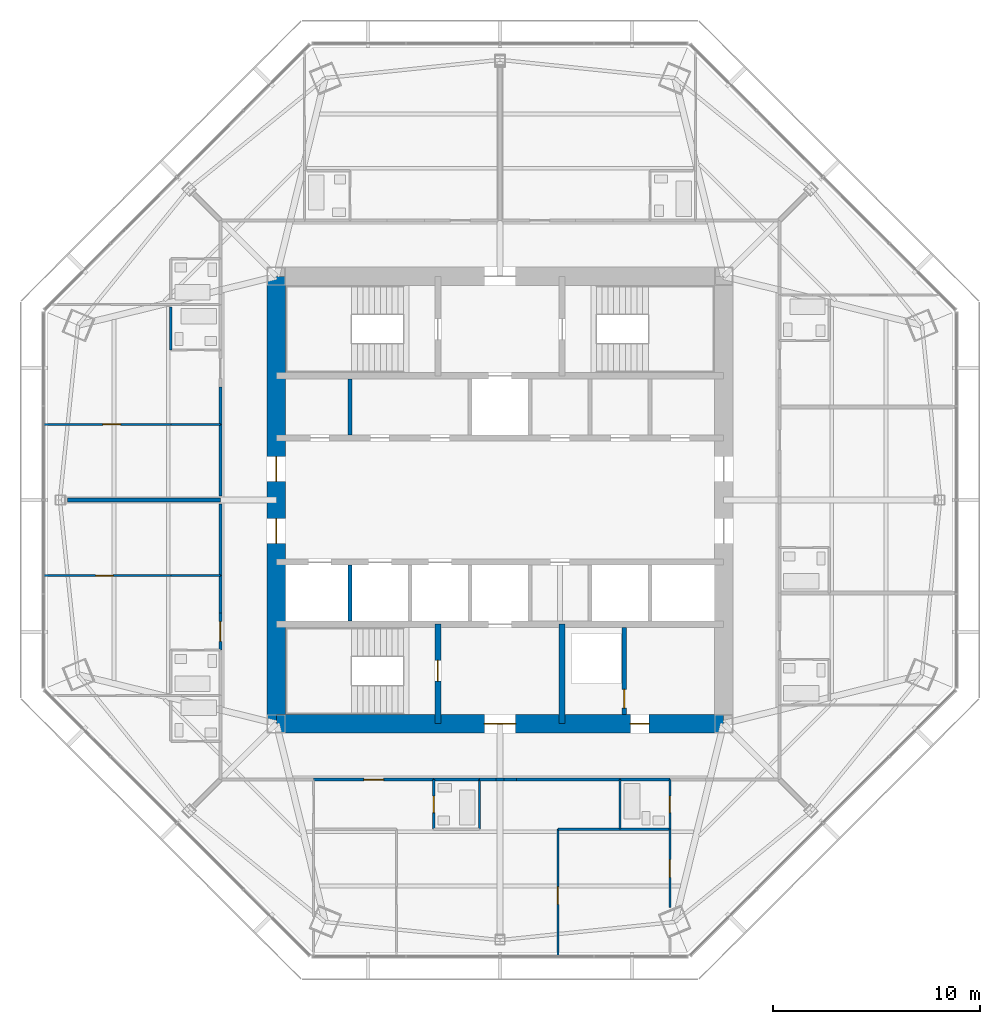
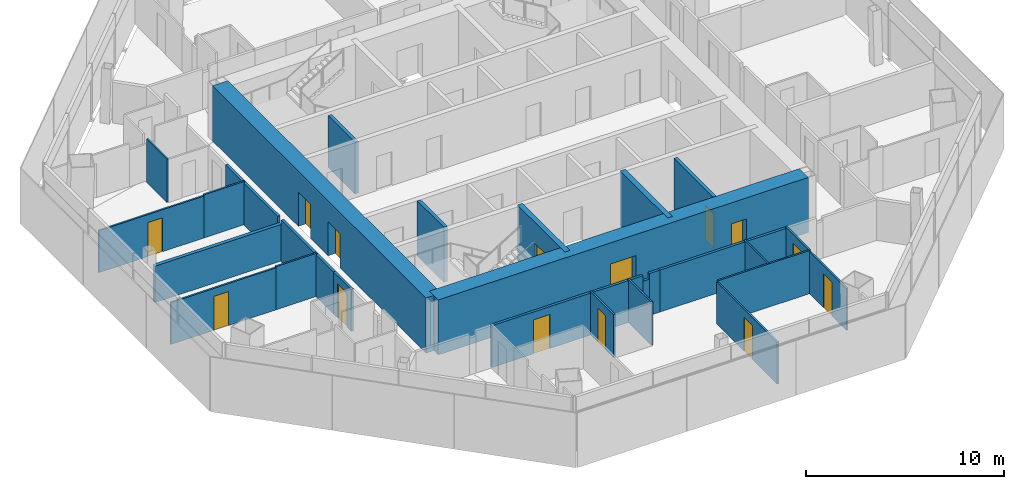
# One storey, part 9 of 15: 32 walls, 14 doors, 14 openings.
"""IFC4 building model written with IfcOpenShell, lengths in metres."""

from ifc_helpers import new_model, si_unit, direction, frame, frame_2d, origin, place, context, subcontext, project, spatial, rectangle, extrude, material, layer, layer_set, type_object, element, fill, save


model = new_model("IFC4")

# Units and contexts
model_context = context("Model", 3, precision=1e-05, world=origin(), true_north=direction((0.0, 1.0)))
body_context = subcontext(model_context, "Body", "Model", "MODEL_VIEW")
ifc_project = project(units=[si_unit("LENGTHUNIT", "METRE"), si_unit("AREAUNIT", "SQUARE_METRE"), si_unit("VOLUMEUNIT", "CUBIC_METRE"), si_unit("PLANEANGLEUNIT", "RADIAN"), si_unit("MASSUNIT", "GRAM", prefix="KILO")], contexts=[model_context])

# Site, building, storey
site_placement = place(None, origin())
site = spatial("IfcSite", under=ifc_project, at=site_placement, CompositionType="ELEMENT")
building_placement = place(site_placement, origin())
building = spatial("IfcBuilding", under=site, at=building_placement, Name="Mashrafa Tower", CompositionType="ELEMENT")
storey_placement = place(building_placement, frame((0.0, 0.0, 210.800048828125)))
storey = spatial("IfcBuildingStorey", under=building, at=storey_placement, Name="L48", CompositionType="ELEMENT", Elevation=210.800048828125)

# Wall
ifc_material_1 = material(Name="Gypsum board on steel studs", Category="steel")
ifc_layer_1 = layer(ifc_material_1, 0.199951171875)
ifc_layer_set_1 = layer_set([ifc_layer_1], Name="Acoustic partition 200 1 hr")
wall_type_1 = type_object("IfcWallType", Name="Acoustic partition 200 1 hr", PredefinedType="PARTITIONING", material=ifc_layer_set_1)
wall_1_placement = place(storey_placement, frame((-20.88623046875, 0.0, 0.0), z_axis=(0.0, 0.0, 1.0), x_axis=(1.0, 0.0, 0.0)))
element("IfcWall", 1, at=wall_1_placement, inside=storey, type_object=wall_type_1, Name="Acoustic wall L48-104", PredefinedType="PARTITIONING", context=body_context, shape_type="SweptSolid", body=[
    extrude(rectangle(XDim=7.38623046875, YDim=0.199951171875, at=frame_2d((3.693115234375, 0.0))), origin(), (0.0, 0.0, 1.0), 2.2529296875),
])

# Wall, opening, door
ifc_material_2 = material(Name="Concrete masonry unit", Category="masonry")
ifc_layer_2 = layer(ifc_material_2, 0.199951171875)
ifc_layer_set_2 = layer_set([ifc_layer_2], Name="Blockwork wall 200 2 hr")
wall_type_2 = type_object("IfcWallType", Name="Blockwork wall 200 2 hr", PredefinedType="PARTITIONING", material=ifc_layer_set_2)
wall_2_placement = place(storey_placement, frame((6.0, -10.35009765625, 0.0), z_axis=(0.0, 0.0, 1.0), x_axis=(0.0, 1.0, 0.0)))
wall_2 = element("IfcWall", 2, at=wall_2_placement, inside=storey, type_object=wall_type_2, Name="Riser enclosure wall L48", PredefinedType="PARTITIONING", context=body_context, shape_type="SweptSolid", body=[
    extrude(rectangle(XDim=4.2001953125, YDim=0.199951171875, at=frame_2d((2.10009765625, 0.0))), origin(), (0.0, 0.0, 1.0), 3.199951171875),
])
opening_1_placement = place(wall_2_placement, frame((0.300048828125, 0.0, 0.0)))
opening_1 = element("IfcOpeningElement", 3, at=opening_1_placement, cuts=wall_2, Name="Opening 48.042", PredefinedType="OPENING", context=body_context, shape_type="SweptSolid", body=[
    extrude(rectangle(XDim=0.89990234375, YDim=2.10009765625, at=frame_2d((0.449951171875, 1.050048828125))), frame((0.0, 0.10986328125, 0.0), z_axis=(0.0, -1.0, 0.0), x_axis=(1.0, 0.0, 0.0)), (0.0, 0.0, 1.0), 0.219970703125),
])
ifc_material_3 = material(Name="Steel door", Category="steel")
door_type_1 = type_object("IfcDoorType", Name="Service door 900 x 2100 90 min", OperationType="USERDEFINED", PredefinedType="DOOR", material=ifc_material_3)
door_1_placement = place(opening_1_placement, origin())
door_1 = element("IfcDoor", 4, at=door_1_placement, inside=storey, type_object=door_type_1, Name="Riser door L48", OperationType="SINGLE_SWING_LEFT", OverallHeight=2.10009765625, OverallWidth=0.89990234375, PredefinedType="DOOR", context=body_context, shape_type="SweptSolid", body=[
    extrude(rectangle(XDim=0.89990234375, YDim=2.10009765625, at=frame_2d((0.449951171875, 1.050048828125))), frame((0.0, 0.02490234375, 0.0), z_axis=(0.0, -1.0, 0.0), x_axis=(1.0, 0.0, 0.0)), (0.0, 0.0, 1.0), 0.050048828125),
])
fill(opening_1, door_1)

ifc_material_4 = material(Name="Concrete C50/60", Category="concrete")
ifc_layer_3 = layer(ifc_material_4, 0.300048828125)
ifc_layer_set_3 = layer_set([ifc_layer_3], Name="Core wall 300 C50/60")
wall_type_3 = type_object("IfcWallType", Name="Core wall 300 C50/60", PredefinedType="SOLIDWALL", material=ifc_layer_set_3)
wall_3_placement = place(storey_placement, frame((-3.0, -6.0, 0.0), z_axis=(0.0, 0.0, 1.0), x_axis=(0.0, -1.0, 0.0)))
wall_3 = element("IfcWall", 5, at=wall_3_placement, inside=storey, type_object=wall_type_3, Name="Core wall CX-SW L48", PredefinedType="SOLIDWALL", context=body_context, shape_type="SweptSolid", body=[
    extrude(rectangle(XDim=4.800048828125, YDim=0.300048828125, at=frame_2d((2.39990234375, 0.0))), origin(), (0.0, 0.0, 1.0), 3.39990234375),
])
opening_2_placement = place(wall_3_placement, frame((1.75, 0.0, 0.0)))
opening_2 = element("IfcOpeningElement", 6, at=opening_2_placement, cuts=wall_3, Name="Opening 48.040", PredefinedType="OPENING", context=body_context, shape_type="SweptSolid", body=[
    extrude(rectangle(XDim=1.0, YDim=2.10009765625, at=frame_2d((0.5, 1.050048828125))), frame((0.0, 0.159912109375, 0.0), z_axis=(0.0, -1.0, 0.0), x_axis=(1.0, 0.0, 0.0)), (0.0, 0.0, 1.0), 0.320068359375),
])
ifc_material_5 = material(Name="Steel door", Category="steel")
door_type_2 = type_object("IfcDoorType", Name="Stair door 1000 x 2100 90 min", OperationType="USERDEFINED", PredefinedType="DOOR", material=ifc_material_5)
door_2_placement = place(opening_2_placement, frame((1.0, 0.0, 0.0), z_axis=(0.0, 0.0, 1.0), x_axis=(-1.0, 0.0, 0.0)))
door_2 = element("IfcDoor", 7, at=door_2_placement, inside=storey, type_object=door_type_2, Name="Stair S3 door L48", OperationType="SINGLE_SWING_RIGHT", OverallHeight=2.10009765625, OverallWidth=1.0, PredefinedType="DOOR", context=body_context, shape_type="SweptSolid", body=[
    extrude(rectangle(XDim=1.0, YDim=2.10009765625, at=frame_2d((0.5, 1.050048828125))), frame((0.0, 0.02490234375, 0.0), z_axis=(0.0, -1.0, 0.0), x_axis=(1.0, 0.0, 0.0)), (0.0, 0.0, 1.0), 0.050048828125),
])
fill(opening_2, door_2)

# Wall
wall_4_placement = place(storey_placement, frame((3.0, -6.0, 0.0), z_axis=(0.0, 0.0, 1.0), x_axis=(0.0, -1.0, 0.0)))
element("IfcWall", 8, at=wall_4_placement, inside=storey, type_object=wall_type_3, Name="Core wall CX-SE L48", PredefinedType="SOLIDWALL", context=body_context, shape_type="SweptSolid", body=[
    extrude(rectangle(XDim=4.800048828125, YDim=0.300048828125, at=frame_2d((2.39990234375, 0.0))), origin(), (0.0, 0.0, 1.0), 3.39990234375),
])

# Wall, openings, doors
ifc_material_6 = material(Name="Concrete C50/60", Category="concrete")
ifc_layer_4 = layer(ifc_material_6, 0.89990234375)
ifc_layer_set_4 = layer_set([ifc_layer_4], Name="Core wall 900 C50/60")
wall_type_4 = type_object("IfcWallType", Name="Core wall 900 C50/60", PredefinedType="SOLIDWALL", material=ifc_layer_set_4)
wall_5_placement = place(storey_placement, frame((-10.800048828125, -10.800048828125, 0.0), z_axis=(0.0, 0.0, 1.0), x_axis=(1.0, 0.0, 0.0)))
wall_5 = element("IfcWall", 9, at=wall_5_placement, inside=storey, type_object=wall_type_4, Name="Core wall CW-S L48", PredefinedType="SOLIDWALL", context=body_context, shape_type="SweptSolid", body=[
    extrude(rectangle(XDim=21.60009765625, YDim=0.89990234375, at=frame_2d((10.800048828125, 0.0))), origin(), (0.0, 0.0, 1.0), 3.39990234375),
])
opening_3_placement = place(wall_5_placement, frame((10.050048828125, 0.0, 0.0)))
opening_3 = element("IfcOpeningElement", 10, at=opening_3_placement, cuts=wall_5, Name="Opening 48.037", PredefinedType="OPENING", context=body_context, shape_type="SweptSolid", body=[
    extrude(rectangle(XDim=1.5, YDim=2.10009765625, at=frame_2d((0.75, 1.050048828125))), frame((0.0, 0.4599609375, 0.0), z_axis=(0.0, -1.0, 0.0), x_axis=(1.0, 0.0, 0.0)), (0.0, 0.0, 1.0), 0.919921875),
])
opening_4_placement = place(wall_5_placement, frame((17.10009765625, 0.0, 0.0)))
opening_4 = element("IfcOpeningElement", 11, at=opening_4_placement, cuts=wall_5, Name="Opening 48.041", PredefinedType="OPENING", context=body_context, shape_type="SweptSolid", body=[
    extrude(rectangle(XDim=0.89990234375, YDim=2.10009765625, at=frame_2d((0.449951171875, 1.050048828125))), frame((0.0, 0.4599609375, 0.0), z_axis=(0.0, -1.0, 0.0), x_axis=(1.0, 0.0, 0.0)), (0.0, 0.0, 1.0), 0.919921875),
])
ifc_material_7 = material(Name="Steel door", Category="steel")
door_type_3 = type_object("IfcDoorType", Name="Lobby door pair 1500 x 2100 90 min", OperationType="DOUBLE_DOOR_SINGLE_SWING", PredefinedType="DOOR", material=ifc_material_7)
door_3_placement = place(opening_3_placement, origin())
door_3 = element("IfcDoor", 12, at=door_3_placement, inside=storey, type_object=door_type_3, Name="Fire-fighting lobby F2 door L48", OperationType="DOUBLE_DOOR_SINGLE_SWING", OverallHeight=2.10009765625, OverallWidth=1.5, PredefinedType="DOOR", context=body_context, shape_type="SweptSolid", body=[
    extrude(rectangle(XDim=1.5, YDim=2.10009765625, at=frame_2d((0.75, 1.050048828125))), frame((0.0, 0.02490234375, 0.0), z_axis=(0.0, -1.0, 0.0), x_axis=(1.0, 0.0, 0.0)), (0.0, 0.0, 1.0), 0.050048828125),
])
fill(opening_3, door_3)
door_4_placement = place(opening_4_placement, origin())
door_4 = element("IfcDoor", 13, at=door_4_placement, inside=storey, type_object=door_type_1, Name="Electrical Room L48 door", OperationType="SINGLE_SWING_LEFT", OverallHeight=2.10009765625, OverallWidth=0.89990234375, PredefinedType="DOOR", context=body_context, shape_type="SweptSolid", body=[
    extrude(rectangle(XDim=0.89990234375, YDim=2.10009765625, at=frame_2d((0.449951171875, 1.050048828125))), frame((0.0, 0.02490234375, 0.0), z_axis=(0.0, -1.0, 0.0), x_axis=(1.0, 0.0, 0.0)), (0.0, 0.0, 1.0), 0.050048828125),
])
fill(opening_4, door_4)

wall_6_placement = place(storey_placement, frame((-10.800048828125, 10.800048828125, 0.0), z_axis=(0.0, 0.0, 1.0), x_axis=(0.0, -1.0, 0.0)))
wall_6 = element("IfcWall", 14, at=wall_6_placement, inside=storey, type_object=wall_type_4, Name="Core wall CW-W L48", PredefinedType="SOLIDWALL", context=body_context, shape_type="SweptSolid", body=[
    extrude(rectangle(XDim=21.60009765625, YDim=0.89990234375, at=frame_2d((10.800048828125, 0.0))), origin(), (0.0, 0.0, 1.0), 3.39990234375),
])
opening_5_placement = place(wall_6_placement, frame((8.699951171875, 0.0, 0.0)))
opening_5 = element("IfcOpeningElement", 15, at=opening_5_placement, cuts=wall_6, Name="Opening 48.033", PredefinedType="OPENING", context=body_context, shape_type="SweptSolid", body=[
    extrude(rectangle(XDim=1.199951171875, YDim=2.10009765625, at=frame_2d((0.60009765625, 1.050048828125))), frame((0.0, 0.4599609375, 0.0), z_axis=(0.0, -1.0, 0.0), x_axis=(1.0, 0.0, 0.0)), (0.0, 0.0, 1.0), 0.919921875),
])
opening_6_placement = place(wall_6_placement, frame((11.699951171875, 0.0, 0.0)))
opening_6 = element("IfcOpeningElement", 16, at=opening_6_placement, cuts=wall_6, Name="Opening 48.035", PredefinedType="OPENING", context=body_context, shape_type="SweptSolid", body=[
    extrude(rectangle(XDim=1.199951171875, YDim=2.10009765625, at=frame_2d((0.60009765625, 1.050048828125))), frame((0.0, 0.4599609375, 0.0), z_axis=(0.0, -1.0, 0.0), x_axis=(1.0, 0.0, 0.0)), (0.0, 0.0, 1.0), 0.919921875),
])
ifc_material_8 = material(Name="Steel door", Category="steel")
door_type_4 = type_object("IfcDoorType", Name="Lift hall door 1200 x 2100 90 min", OperationType="USERDEFINED", PredefinedType="DOOR", material=ifc_material_8)
door_5_placement = place(opening_5_placement, frame((1.199951171875, 0.0, 0.0), z_axis=(0.0, 0.0, 1.0), x_axis=(-1.0, 0.0, 0.0)))
door_5 = element("IfcDoor", 17, at=door_5_placement, inside=storey, type_object=door_type_4, Name="Lift hall door west L48", OperationType="SINGLE_SWING_RIGHT", OverallHeight=2.10009765625, OverallWidth=1.199951171875, PredefinedType="DOOR", context=body_context, shape_type="SweptSolid", body=[
    extrude(rectangle(XDim=1.199951171875, YDim=2.10009765625, at=frame_2d((0.60009765625, 1.050048828125))), frame((0.0, 0.02490234375, 0.0), z_axis=(0.0, -1.0, 0.0), x_axis=(1.0, 0.0, 0.0)), (0.0, 0.0, 1.0), 0.050048828125),
])
fill(opening_5, door_5)
door_6_placement = place(opening_6_placement, frame((1.199951171875, 0.0, 0.0), z_axis=(0.0, 0.0, 1.0), x_axis=(-1.0, 0.0, 0.0)))
door_6 = element("IfcDoor", 18, at=door_6_placement, inside=storey, type_object=door_type_4, Name="Lift hall door west L48", OperationType="SINGLE_SWING_LEFT", OverallHeight=2.10009765625, OverallWidth=1.199951171875, PredefinedType="DOOR", context=body_context, shape_type="SweptSolid", body=[
    extrude(rectangle(XDim=1.199951171875, YDim=2.10009765625, at=frame_2d((0.60009765625, 1.050048828125))), frame((0.0, 0.02490234375, 0.0), z_axis=(0.0, -1.0, 0.0), x_axis=(1.0, 0.0, 0.0)), (0.0, 0.0, 1.0), 0.050048828125),
])
fill(opening_6, door_6)

# Walls
ifc_material_9 = material(Name="Gypsum board on steel studs", Category="steel")
ifc_layer_5 = layer(ifc_material_9, 0.14990234375)
ifc_layer_set_5 = layer_set([ifc_layer_5], Name="Corridor partition 150 1 hr")
wall_type_5 = type_object("IfcWallType", Name="Corridor partition 150 1 hr", PredefinedType="PARTITIONING", material=ifc_layer_set_5)
wall_7_placement = place(storey_placement, frame((-13.5, 5.450927734375, 0.0), z_axis=(0.0, 0.0, 1.0), x_axis=(0.0, -1.0, 0.0)))
element("IfcWall", 19, at=wall_7_placement, inside=storey, type_object=wall_type_5, Name="Corridor wall L48-036", PredefinedType="PARTITIONING", context=body_context, shape_type="SweptSolid", body=[
    extrude(rectangle(XDim=1.802001953125, YDim=0.14990234375, at=frame_2d((0.90087890625, 0.0))), origin(), (0.0, 0.0, 1.0), 2.590576171875),
])
wall_8_placement = place(storey_placement, frame((-13.5, 3.65087890625, 0.0), z_axis=(0.0, 0.0, 1.0), x_axis=(0.0, -1.0, 0.0)))
element("IfcWall", 20, at=wall_8_placement, inside=storey, type_object=wall_type_5, Name="Corridor wall L48-037", PredefinedType="PARTITIONING", context=body_context, shape_type="SweptSolid", body=[
    extrude(rectangle(XDim=3.46728515625, YDim=0.14990234375, at=frame_2d((1.733642578125, 0.0))), origin(), (0.0, 0.0, 1.0), 2.590576171875),
])
wall_9_placement = place(storey_placement, frame((-13.5, -3.64892578125, 0.0), z_axis=(0.0, 0.0, 1.0), x_axis=(0.0, -1.0, 0.0)))
element("IfcWall", 21, at=wall_9_placement, inside=storey, type_object=wall_type_5, Name="Corridor wall L48-044", PredefinedType="PARTITIONING", context=body_context, shape_type="SweptSolid", body=[
    extrude(rectangle(XDim=1.802001953125, YDim=0.14990234375, at=frame_2d((0.90087890625, 0.0))), origin(), (0.0, 0.0, 1.0), 2.590576171875),
])
wall_10_placement = place(storey_placement, frame((-13.5, -0.18359375, 0.0), z_axis=(0.0, 0.0, 1.0), x_axis=(0.0, -1.0, 0.0)))
element("IfcWall", 22, at=wall_10_placement, inside=storey, type_object=wall_type_5, Name="Corridor wall L48-045", PredefinedType="PARTITIONING", context=body_context, shape_type="SweptSolid", body=[
    extrude(rectangle(XDim=3.46728515625, YDim=0.14990234375, at=frame_2d((1.733642578125, 0.0))), origin(), (0.0, 0.0, 1.0), 2.590576171875),
])

# Wall, opening, door
wall_11_placement = place(storey_placement, frame((-13.5, -5.448974609375, 0.0), z_axis=(0.0, 0.0, 1.0), x_axis=(0.0, -1.0, 0.0)))
wall_11 = element("IfcWall", 23, at=wall_11_placement, inside=storey, type_object=wall_type_5, Name="Corridor wall L48-046", PredefinedType="PARTITIONING", context=body_context, shape_type="SweptSolid", body=[
    extrude(rectangle(XDim=1.802001953125, YDim=0.14990234375, at=frame_2d((0.90087890625, 0.0))), origin(), (0.0, 0.0, 1.0), 2.590576171875),
])
opening_7_placement = place(wall_11_placement, frame((0.426025390625, 0.0, 0.0)))
opening_7 = element("IfcOpeningElement", 24, at=opening_7_placement, cuts=wall_11, Name="Opening 48.024", PredefinedType="OPENING", context=body_context, shape_type="SweptSolid", body=[
    extrude(rectangle(XDim=0.949951171875, YDim=2.10009765625, at=frame_2d((0.47509765625, 1.050048828125))), frame((0.0, 0.0849609375, 0.0), z_axis=(0.0, -1.0, 0.0), x_axis=(1.0, 0.0, 0.0)), (0.0, 0.0, 1.0), 0.169921875),
])
ifc_material_10 = material(Name="Steel door", Category="steel")
door_type_5 = type_object("IfcDoorType", Name="Residence entrance door 950 x 2100 20 min", OperationType="USERDEFINED", PredefinedType="DOOR", material=ifc_material_10)
door_7_placement = place(opening_7_placement, frame((0.949951171875, 0.0, 0.0), z_axis=(0.0, 0.0, 1.0), x_axis=(-1.0, 0.0, 0.0)))
door_7 = element("IfcDoor", 25, at=door_7_placement, inside=storey, type_object=door_type_5, Name="Apartment 4807 Living Room door", OperationType="SINGLE_SWING_RIGHT", OverallHeight=2.10009765625, OverallWidth=0.949951171875, PredefinedType="DOOR", context=body_context, shape_type="SweptSolid", body=[
    extrude(rectangle(XDim=0.949951171875, YDim=2.10009765625, at=frame_2d((0.47509765625, 1.050048828125))), frame((0.0, 0.02490234375, 0.0), z_axis=(0.0, -1.0, 0.0), x_axis=(1.0, 0.0, 0.0)), (0.0, 0.0, 1.0), 0.050048828125),
])
fill(opening_7, door_7)

# Walls
wall_12_placement = place(storey_placement, frame((-3.200927734375, -13.5, 0.0), z_axis=(0.0, 0.0, 1.0), x_axis=(1.0, 0.0, 0.0)))
element("IfcWall", 26, at=wall_12_placement, inside=storey, type_object=wall_type_5, Name="Corridor wall L48-050", PredefinedType="PARTITIONING", context=body_context, shape_type="SweptSolid", body=[
    extrude(rectangle(XDim=2.201904296875, YDim=0.14990234375, at=frame_2d((1.10107421875, 0.0))), origin(), (0.0, 0.0, 1.0), 2.590576171875),
])
wall_13_placement = place(storey_placement, frame((-1.0009765625, -13.5, 0.0), z_axis=(0.0, 0.0, 1.0), x_axis=(1.0, 0.0, 0.0)))
element("IfcWall", 27, at=wall_13_placement, inside=storey, type_object=wall_type_5, Name="Corridor wall L48-051", PredefinedType="PARTITIONING", context=body_context, shape_type="SweptSolid", body=[
    extrude(rectangle(XDim=0.8173828125, YDim=0.14990234375, at=frame_2d((0.40869140625, 0.0))), origin(), (0.0, 0.0, 1.0), 2.590576171875),
])
wall_14_placement = place(storey_placement, frame((0.18359375, -13.5, 0.0), z_axis=(0.0, 0.0, 1.0), x_axis=(1.0, 0.0, 0.0)))
element("IfcWall", 28, at=wall_14_placement, inside=storey, type_object=wall_type_5, Name="Corridor wall L48-052", PredefinedType="PARTITIONING", context=body_context, shape_type="SweptSolid", body=[
    extrude(rectangle(XDim=0.617431640625, YDim=0.14990234375, at=frame_2d((0.30859375, 0.0))), origin(), (0.0, 0.0, 1.0), 2.590576171875),
])
wall_15_placement = place(storey_placement, frame((-0.18359375, -13.5, 0.0), z_axis=(0.0, 0.0, 1.0), x_axis=(1.0, 0.0, 0.0)))
element("IfcWall", 29, at=wall_15_placement, inside=storey, type_object=wall_type_5, Name="Corridor wall L48-053", PredefinedType="PARTITIONING", context=body_context, shape_type="SweptSolid", body=[
    extrude(rectangle(XDim=0.3671875, YDim=0.14990234375, at=frame_2d((0.18359375, 0.0))), origin(), (0.0, 0.0, 1.0), 2.2529296875),
])
wall_16_placement = place(storey_placement, frame((5.799072265625, -13.5, 0.0), z_axis=(0.0, 0.0, 1.0), x_axis=(1.0, 0.0, 0.0)))
element("IfcWall", 30, at=wall_16_placement, inside=storey, type_object=wall_type_5, Name="Corridor wall L48-054", PredefinedType="PARTITIONING", context=body_context, shape_type="SweptSolid", body=[
    extrude(rectangle(XDim=2.40185546875, YDim=0.14990234375, at=frame_2d((1.200927734375, 0.0))), origin(), (0.0, 0.0, 1.0), 2.590576171875),
])

# Wall, opening, door
wall_17_placement = place(storey_placement, frame((-9.0009765625, -13.5, 0.0), z_axis=(0.0, 0.0, 1.0), x_axis=(1.0, 0.0, 0.0)))
wall_17 = element("IfcWall", 31, at=wall_17_placement, inside=storey, type_object=wall_type_5, Name="Corridor wall L48-058", PredefinedType="PARTITIONING", context=body_context, shape_type="SweptSolid", body=[
    extrude(rectangle(XDim=5.802001953125, YDim=0.14990234375, at=frame_2d((2.90087890625, 0.0))), origin(), (0.0, 0.0, 1.0), 2.590576171875),
])
opening_8_placement = place(wall_17_placement, frame((2.426025390625, 0.0, 0.0)))
opening_8 = element("IfcOpeningElement", 32, at=opening_8_placement, cuts=wall_17, Name="Opening 48.030", PredefinedType="OPENING", context=body_context, shape_type="SweptSolid", body=[
    extrude(rectangle(XDim=0.949951171875, YDim=2.10009765625, at=frame_2d((0.47509765625, 1.050048828125))), frame((0.0, 0.0849609375, 0.0), z_axis=(0.0, -1.0, 0.0), x_axis=(1.0, 0.0, 0.0)), (0.0, 0.0, 1.0), 0.169921875),
])
door_8_placement = place(opening_8_placement, frame((0.949951171875, 0.0, 0.0), z_axis=(0.0, 0.0, 1.0), x_axis=(-1.0, 0.0, 0.0)))
door_8 = element("IfcDoor", 33, at=door_8_placement, inside=storey, type_object=door_type_5, Name="Apartment 4808 Living Room door", OperationType="SINGLE_SWING_RIGHT", OverallHeight=2.10009765625, OverallWidth=0.949951171875, PredefinedType="DOOR", context=body_context, shape_type="SweptSolid", body=[
    extrude(rectangle(XDim=0.949951171875, YDim=2.10009765625, at=frame_2d((0.47509765625, 1.050048828125))), frame((0.0, 0.02490234375, 0.0), z_axis=(0.0, -1.0, 0.0), x_axis=(1.0, 0.0, 0.0)), (0.0, 0.0, 1.0), 0.050048828125),
])
fill(opening_8, door_8)

# Walls
wall_18_placement = place(storey_placement, frame((0.799072265625, -13.5, 0.0), z_axis=(0.0, 0.0, 1.0), x_axis=(1.0, 0.0, 0.0)))
element("IfcWall", 34, at=wall_18_placement, inside=storey, type_object=wall_type_5, Name="Corridor wall L48-059", PredefinedType="PARTITIONING", context=body_context, shape_type="SweptSolid", body=[
    extrude(rectangle(XDim=5.001953125, YDim=0.14990234375, at=frame_2d((2.5009765625, 0.0))), origin(), (0.0, 0.0, 1.0), 2.590576171875),
])
ifc_material_11 = material(Name="Gypsum board on steel studs", Category="steel")
ifc_layer_6 = layer(ifc_material_11, 0.10009765625)
ifc_layer_set_6 = layer_set([ifc_layer_6], Name="Partition 100")
wall_type_6 = type_object("IfcWallType", Name="Partition 100", PredefinedType="PARTITIONING", material=ifc_layer_set_6)
wall_19_placement = place(storey_placement, frame((-15.89990234375, 9.322021484375, 0.0), z_axis=(0.0, 0.0, 1.0), x_axis=(0.0, -1.0, 0.0)))
element("IfcWall", 35, at=wall_19_placement, inside=storey, type_object=wall_type_6, Name="Partition wall L48-100", PredefinedType="PARTITIONING", context=body_context, shape_type="SweptSolid", body=[
    extrude(rectangle(XDim=2.072021484375, YDim=0.10009765625, at=frame_2d((1.0361328125, 0.0))), origin(), (0.0, 0.0, 1.0), 2.6640625),
])
wall_20_placement = place(storey_placement, frame((-15.89990234375, 3.64990234375, 0.0), z_axis=(0.0, 0.0, 1.0), x_axis=(1.0, 0.0, 0.0)))
element("IfcWall", 36, at=wall_20_placement, inside=storey, type_object=wall_type_6, Name="Partition wall L48-102", PredefinedType="PARTITIONING", context=body_context, shape_type="SweptSolid", body=[
    extrude(rectangle(XDim=2.39990234375, YDim=0.10009765625, at=frame_2d((1.199951171875, 0.0))), origin(), (0.0, 0.0, 1.0), 2.6640625),
])

# Wall, opening, door
wall_21_placement = place(storey_placement, frame((-15.89892578125, 3.64990234375, 0.0), z_axis=(0.0, 0.0, 1.0), x_axis=(-1.0, 0.0, 0.0)))
wall_21 = element("IfcWall", 37, at=wall_21_placement, inside=storey, type_object=wall_type_6, Name="Partition wall L48-103", PredefinedType="PARTITIONING", context=body_context, shape_type="SweptSolid", body=[
    extrude(rectangle(XDim=6.136474609375, YDim=0.10009765625, at=frame_2d((3.068359375, 0.0))), origin(), (0.0, 0.0, 1.0), 2.590576171875),
])
opening_9_placement = place(wall_21_placement, frame((2.42626953125, 0.0, 0.0)))
opening_9 = element("IfcOpeningElement", 38, at=opening_9_placement, cuts=wall_21, Name="Opening 48.018", PredefinedType="OPENING", context=body_context, shape_type="SweptSolid", body=[
    extrude(rectangle(XDim=0.85009765625, YDim=2.10009765625, at=frame_2d((0.425048828125, 1.050048828125))), frame((0.0, 0.06005859375, 0.0), z_axis=(0.0, -1.0, 0.0), x_axis=(1.0, 0.0, 0.0)), (0.0, 0.0, 1.0), 0.1201171875),
])
ifc_material_12 = material(Name="Timber door", Category="wood")
door_type_6 = type_object("IfcDoorType", Name="Bedroom door 850 x 2100", OperationType="USERDEFINED", PredefinedType="DOOR", material=ifc_material_12)
door_9_placement = place(opening_9_placement, origin())
door_9 = element("IfcDoor", 39, at=door_9_placement, inside=storey, type_object=door_type_6, Name="Apartment 4806 Bedroom 2 door", OperationType="SINGLE_SWING_RIGHT", OverallHeight=2.10009765625, OverallWidth=0.85009765625, PredefinedType="DOOR", context=body_context, shape_type="SweptSolid", body=[
    extrude(rectangle(XDim=0.85009765625, YDim=2.10009765625, at=frame_2d((0.425048828125, 1.050048828125))), frame((0.0, 0.02490234375, 0.0), z_axis=(0.0, -1.0, 0.0), x_axis=(1.0, 0.0, 0.0)), (0.0, 0.0, 1.0), 0.050048828125),
])
fill(opening_9, door_9)

# Wall
wall_22_placement = place(storey_placement, frame((-13.5, -3.64990234375, 0.0), z_axis=(0.0, 0.0, 1.0), x_axis=(-1.0, 0.0, 0.0)))
element("IfcWall", 40, at=wall_22_placement, inside=storey, type_object=wall_type_6, Name="Partition wall L48-114", PredefinedType="PARTITIONING", context=body_context, shape_type="SweptSolid", body=[
    extrude(rectangle(XDim=2.39990234375, YDim=0.10009765625, at=frame_2d((1.199951171875, 0.0))), origin(), (0.0, 0.0, 1.0), 2.6640625),
])

# Wall, opening, door
wall_23_placement = place(storey_placement, frame((-22.035400390625, -3.64990234375, 0.0), z_axis=(0.0, 0.0, 1.0), x_axis=(1.0, 0.0, 0.0)))
wall_23 = element("IfcWall", 41, at=wall_23_placement, inside=storey, type_object=wall_type_6, Name="Partition wall L48-115", PredefinedType="PARTITIONING", context=body_context, shape_type="SweptSolid", body=[
    extrude(rectangle(XDim=6.136474609375, YDim=0.10009765625, at=frame_2d((3.068359375, 0.0))), origin(), (0.0, 0.0, 1.0), 2.590576171875),
])
opening_10_placement = place(wall_23_placement, frame((2.505126953125, 0.0, 0.0)))
opening_10 = element("IfcOpeningElement", 42, at=opening_10_placement, cuts=wall_23, Name="Opening 48.023", PredefinedType="OPENING", context=body_context, shape_type="SweptSolid", body=[
    extrude(rectangle(XDim=0.85009765625, YDim=2.10009765625, at=frame_2d((0.425048828125, 1.050048828125))), frame((0.0, 0.06005859375, 0.0), z_axis=(0.0, -1.0, 0.0), x_axis=(1.0, 0.0, 0.0)), (0.0, 0.0, 1.0), 0.1201171875),
])
door_10_placement = place(opening_10_placement, origin())
door_10 = element("IfcDoor", 43, at=door_10_placement, inside=storey, type_object=door_type_6, Name="Apartment 4807 Bedroom 2 door", OperationType="SINGLE_SWING_LEFT", OverallHeight=2.10009765625, OverallWidth=0.85009765625, PredefinedType="DOOR", context=body_context, shape_type="SweptSolid", body=[
    extrude(rectangle(XDim=0.85009765625, YDim=2.10009765625, at=frame_2d((0.425048828125, 1.050048828125))), frame((0.0, 0.02490234375, 0.0), z_axis=(0.0, -1.0, 0.0), x_axis=(1.0, 0.0, 0.0)), (0.0, 0.0, 1.0), 0.050048828125),
])
fill(opening_10, door_10)

# Wall
wall_24_placement = place(storey_placement, frame((-1.0, -15.89990234375, 0.0), z_axis=(0.0, 0.0, 1.0), x_axis=(0.0, 1.0, 0.0)))
element("IfcWall", 44, at=wall_24_placement, inside=storey, type_object=wall_type_6, Name="Partition wall L48-123", PredefinedType="PARTITIONING", context=body_context, shape_type="SweptSolid", body=[
    extrude(rectangle(XDim=2.39990234375, YDim=0.10009765625, at=frame_2d((1.199951171875, 0.0))), origin(), (0.0, 0.0, 1.0), 2.6640625),
])

# Wall, opening, door
wall_25_placement = place(storey_placement, frame((-3.199951171875, -13.5, 0.0), z_axis=(0.0, 0.0, 1.0), x_axis=(0.0, -1.0, 0.0)))
wall_25 = element("IfcWall", 45, at=wall_25_placement, inside=storey, type_object=wall_type_6, Name="Partition wall L48-124", PredefinedType="PARTITIONING", context=body_context, shape_type="SweptSolid", body=[
    extrude(rectangle(XDim=2.39990234375, YDim=0.10009765625, at=frame_2d((1.199951171875, 0.0))), origin(), (0.0, 0.0, 1.0), 2.6640625),
])
opening_11_placement = place(wall_25_placement, frame((0.800048828125, 0.0, 0.0)))
opening_11 = element("IfcOpeningElement", 46, at=opening_11_placement, cuts=wall_25, Name="Opening 48.027", PredefinedType="OPENING", context=body_context, shape_type="SweptSolid", body=[
    extrude(rectangle(XDim=0.800048828125, YDim=2.10009765625, at=frame_2d((0.39990234375, 1.050048828125))), frame((0.0, 0.06005859375, 0.0), z_axis=(0.0, -1.0, 0.0), x_axis=(1.0, 0.0, 0.0)), (0.0, 0.0, 1.0), 0.1201171875),
])
ifc_material_13 = material(Name="Timber door", Category="wood")
door_type_7 = type_object("IfcDoorType", Name="Bathroom door 800 x 2100", OperationType="USERDEFINED", PredefinedType="DOOR", material=ifc_material_13)
door_11_placement = place(opening_11_placement, origin())
door_11 = element("IfcDoor", 47, at=door_11_placement, inside=storey, type_object=door_type_7, Name="Apartment 4808 Bathroom door", OperationType="SINGLE_SWING_RIGHT", OverallHeight=2.10009765625, OverallWidth=0.800048828125, PredefinedType="DOOR", context=body_context, shape_type="SweptSolid", body=[
    extrude(rectangle(XDim=0.800048828125, YDim=2.10009765625, at=frame_2d((0.39990234375, 1.050048828125))), frame((0.0, 0.02490234375, 0.0), z_axis=(0.0, -1.0, 0.0), x_axis=(1.0, 0.0, 0.0)), (0.0, 0.0, 1.0), 0.050048828125),
])
fill(opening_11, door_11)

wall_26_placement = place(storey_placement, frame((8.199951171875, -15.89990234375, 0.0), z_axis=(0.0, 0.0, 1.0), x_axis=(0.0, 1.0, 0.0)))
wall_26 = element("IfcWall", 48, at=wall_26_placement, inside=storey, type_object=wall_type_6, Name="Partition wall L48-126", PredefinedType="PARTITIONING", context=body_context, shape_type="SweptSolid", body=[
    extrude(rectangle(XDim=2.39990234375, YDim=0.10009765625, at=frame_2d((1.199951171875, 0.0))), origin(), (0.0, 0.0, 1.0), 2.6640625),
])
opening_12_placement = place(wall_26_placement, frame((0.800048828125, 0.0, 0.0)))
opening_12 = element("IfcOpeningElement", 49, at=opening_12_placement, cuts=wall_26, Name="Opening 48.028", PredefinedType="OPENING", context=body_context, shape_type="SweptSolid", body=[
    extrude(rectangle(XDim=0.800048828125, YDim=2.10009765625, at=frame_2d((0.39990234375, 1.050048828125))), frame((0.0, 0.06005859375, 0.0), z_axis=(0.0, -1.0, 0.0), x_axis=(1.0, 0.0, 0.0)), (0.0, 0.0, 1.0), 0.1201171875),
])
door_12_placement = place(opening_12_placement, origin())
door_12 = element("IfcDoor", 50, at=door_12_placement, inside=storey, type_object=door_type_7, Name="Apartment 4808 En-suite Bathroom door", OperationType="SINGLE_SWING_LEFT", OverallHeight=2.10009765625, OverallWidth=0.800048828125, PredefinedType="DOOR", context=body_context, shape_type="SweptSolid", body=[
    extrude(rectangle(XDim=0.800048828125, YDim=2.10009765625, at=frame_2d((0.39990234375, 1.050048828125))), frame((0.0, 0.02490234375, 0.0), z_axis=(0.0, -1.0, 0.0), x_axis=(1.0, 0.0, 0.0)), (0.0, 0.0, 1.0), 0.050048828125),
])
fill(opening_12, door_12)

# Walls
wall_27_placement = place(storey_placement, frame((5.800048828125, -13.5, 0.0), z_axis=(0.0, 0.0, 1.0), x_axis=(0.0, -1.0, 0.0)))
element("IfcWall", 51, at=wall_27_placement, inside=storey, type_object=wall_type_6, Name="Partition wall L48-127", PredefinedType="PARTITIONING", context=body_context, shape_type="SweptSolid", body=[
    extrude(rectangle(XDim=2.39990234375, YDim=0.10009765625, at=frame_2d((1.199951171875, 0.0))), origin(), (0.0, 0.0, 1.0), 2.6640625),
])
wall_28_placement = place(storey_placement, frame((8.199951171875, -15.89990234375, 0.0), z_axis=(0.0, 0.0, 1.0), x_axis=(-1.0, 0.0, 0.0)))
element("IfcWall", 52, at=wall_28_placement, inside=storey, type_object=wall_type_6, Name="Partition wall L48-128", PredefinedType="PARTITIONING", context=body_context, shape_type="SweptSolid", body=[
    extrude(rectangle(XDim=5.39990234375, YDim=0.10009765625, at=frame_2d((2.699951171875, 0.0))), origin(), (0.0, 0.0, 1.0), 2.6640625),
])

# Wall, opening, door
wall_29_placement = place(storey_placement, frame((8.199951171875, -15.89892578125, 0.0), z_axis=(0.0, 0.0, 1.0), x_axis=(0.0, -1.0, 0.0)))
wall_29 = element("IfcWall", 53, at=wall_29_placement, inside=storey, type_object=wall_type_6, Name="Partition wall L48-129", PredefinedType="PARTITIONING", context=body_context, shape_type="SweptSolid", body=[
    extrude(rectangle(XDim=3.790283203125, YDim=0.10009765625, at=frame_2d((1.89501953125, 0.0))), origin(), (0.0, 0.0, 1.0), 2.590576171875),
])
opening_13_placement = place(wall_29_placement, frame((1.47021484375, 0.0, 0.0)))
opening_13 = element("IfcOpeningElement", 54, at=opening_13_placement, cuts=wall_29, Name="Opening 48.029", PredefinedType="OPENING", context=body_context, shape_type="SweptSolid", body=[
    extrude(rectangle(XDim=0.85009765625, YDim=2.10009765625, at=frame_2d((0.425048828125, 1.050048828125))), frame((0.0, 0.06005859375, 0.0), z_axis=(0.0, -1.0, 0.0), x_axis=(1.0, 0.0, 0.0)), (0.0, 0.0, 1.0), 0.1201171875),
])
door_13_placement = place(opening_13_placement, origin())
door_13 = element("IfcDoor", 55, at=door_13_placement, inside=storey, type_object=door_type_6, Name="Apartment 4808 Bedroom 3 door", OperationType="SINGLE_SWING_RIGHT", OverallHeight=2.10009765625, OverallWidth=0.85009765625, PredefinedType="DOOR", context=body_context, shape_type="SweptSolid", body=[
    extrude(rectangle(XDim=0.85009765625, YDim=2.10009765625, at=frame_2d((0.425048828125, 1.050048828125))), frame((0.0, 0.02490234375, 0.0), z_axis=(0.0, -1.0, 0.0), x_axis=(1.0, 0.0, 0.0)), (0.0, 0.0, 1.0), 0.050048828125),
])
fill(opening_13, door_13)

wall_30_placement = place(storey_placement, frame((2.800048828125, -22.035400390625, 0.0), z_axis=(0.0, 0.0, 1.0), x_axis=(0.0, 1.0, 0.0)))
wall_30 = element("IfcWall", 56, at=wall_30_placement, inside=storey, type_object=wall_type_6, Name="Partition wall L48-131", PredefinedType="PARTITIONING", context=body_context, shape_type="SweptSolid", body=[
    extrude(rectangle(XDim=6.135498046875, YDim=0.10009765625, at=frame_2d((3.06787109375, 0.0))), origin(), (0.0, 0.0, 1.0), 2.590576171875),
])
opening_14_placement = place(wall_30_placement, frame((2.504638671875, 0.0, 0.0)))
opening_14 = element("IfcOpeningElement", 57, at=opening_14_placement, cuts=wall_30, Name="Opening 48.031", PredefinedType="OPENING", context=body_context, shape_type="SweptSolid", body=[
    extrude(rectangle(XDim=0.85009765625, YDim=2.10009765625, at=frame_2d((0.425048828125, 1.050048828125))), frame((0.0, 0.06005859375, 0.0), z_axis=(0.0, -1.0, 0.0), x_axis=(1.0, 0.0, 0.0)), (0.0, 0.0, 1.0), 0.1201171875),
])
door_14_placement = place(opening_14_placement, frame((0.85009765625, 0.0, 0.0), z_axis=(0.0, 0.0, 1.0), x_axis=(-1.0, 0.0, 0.0)))
door_14 = element("IfcDoor", 58, at=door_14_placement, inside=storey, type_object=door_type_6, Name="Apartment 4808 Dining Room door", OperationType="SINGLE_SWING_RIGHT", OverallHeight=2.10009765625, OverallWidth=0.85009765625, PredefinedType="DOOR", context=body_context, shape_type="SweptSolid", body=[
    extrude(rectangle(XDim=0.85009765625, YDim=2.10009765625, at=frame_2d((0.425048828125, 1.050048828125))), frame((0.0, 0.02490234375, 0.0), z_axis=(0.0, -1.0, 0.0), x_axis=(1.0, 0.0, 0.0)), (0.0, 0.0, 1.0), 0.050048828125),
])
fill(opening_14, door_14)

# Walls
ifc_material_14 = material(Name="Gypsum shaft wall on steel studs", Category="steel")
ifc_layer_7 = layer(ifc_material_14, 0.199951171875)
ifc_layer_set_7 = layer_set([ifc_layer_7], Name="Shaft divider wall 200 2 hr")
wall_type_7 = type_object("IfcWallType", Name="Shaft divider wall 200 2 hr", PredefinedType="PARTITIONING", material=ifc_layer_set_7)
wall_31_placement = place(storey_placement, frame((-7.25, 3.14990234375, 0.0), z_axis=(0.0, 0.0, 1.0), x_axis=(0.0, 1.0, 0.0)))
element("IfcWall", 59, at=wall_31_placement, inside=storey, type_object=wall_type_7, Name="Shaft divider wall N1 L48", PredefinedType="PARTITIONING", context=body_context, shape_type="SweptSolid", body=[
    extrude(rectangle(XDim=2.7001953125, YDim=0.199951171875, at=frame_2d((1.35009765625, 0.0))), origin(), (0.0, 0.0, 1.0), 3.199951171875),
])
wall_32_placement = place(storey_placement, frame((-7.25, -5.85009765625, 0.0), z_axis=(0.0, 0.0, 1.0), x_axis=(0.0, 1.0, 0.0)))
element("IfcWall", 60, at=wall_32_placement, inside=storey, type_object=wall_type_7, Name="Shaft divider wall S1 L48", PredefinedType="PARTITIONING", context=body_context, shape_type="SweptSolid", body=[
    extrude(rectangle(XDim=2.7001953125, YDim=0.199951171875, at=frame_2d((1.35009765625, 0.0))), origin(), (0.0, 0.0, 1.0), 3.39990234375),
])

save(model, "model.ifc")
